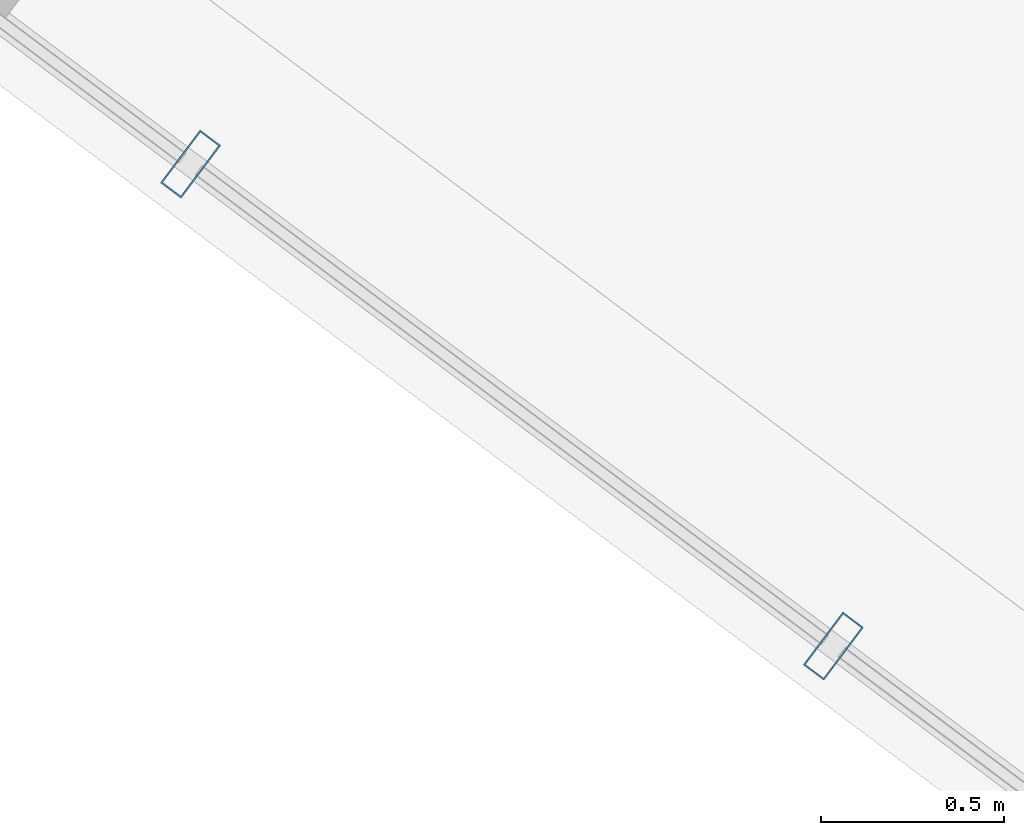
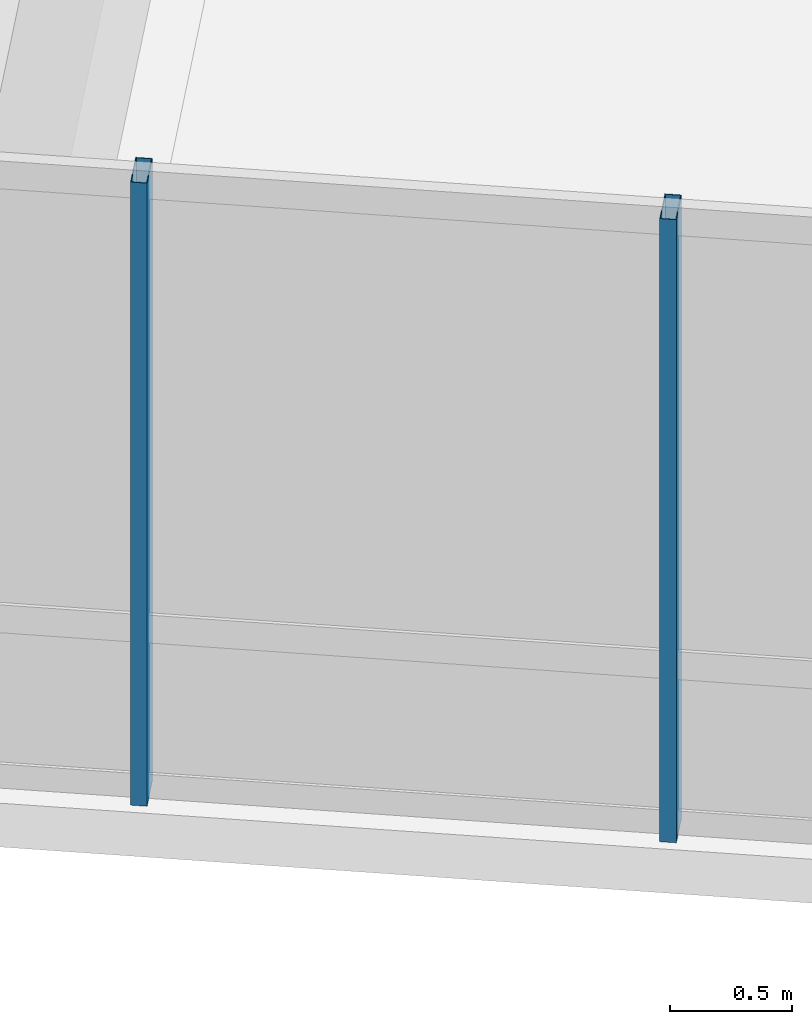
# One storey, part 4 of 36: 2 members, 1 element without a shape of its own.
"""IFC4 building model written with IfcOpenShell, lengths in metres."""

from ifc_helpers import new_model, si_unit, direction, frame, origin, origin_2d, place, context, subcontext, project, spatial, hollow_rectangle, extrude, material, layer, layer_set, material_profile, profile_set, type_object, element, aggregate, save


model = new_model("IFC4")

# Units and contexts
model_context = context("Model", 3, precision=1e-05, world=origin(), true_north=direction((0.0, 1.0)))
body_context = subcontext(model_context, "Body", "Model", "MODEL_VIEW")
ifc_project = project(units=[si_unit("LENGTHUNIT", "METRE"), si_unit("AREAUNIT", "SQUARE_METRE"), si_unit("VOLUMEUNIT", "CUBIC_METRE"), si_unit("PLANEANGLEUNIT", "RADIAN"), si_unit("MASSUNIT", "GRAM", prefix="KILO")], contexts=[model_context])

# Site, building, storey
site_placement = place(None, origin())
site = spatial("IfcSite", under=ifc_project, at=site_placement, CompositionType="ELEMENT")
building_placement = place(site_placement, origin())
building = spatial("IfcBuilding", under=site, at=building_placement, Name="Hatsunagi Terrace Concourse", CompositionType="ELEMENT")
storey_placement = place(building_placement, frame((0.0, 0.0, 84.64990234375)))
storey = spatial("IfcBuildingStorey", under=building, at=storey_placement, Name="L22", CompositionType="ELEMENT", Elevation=84.64990234375)

# Curtain wall, members
ifc_material_1 = material(Name="Anodised Aluminium Alloy 6063-T5", Category="aluminium")
ifc_layer = layer(ifc_material_1, 0.199951171875)
ifc_layer_set = layer_set([ifc_layer], Name="HotelFacade_CW02")
curtain_wall_type = type_object("IfcCurtainWallType", Name="HotelFacade_CW02", PredefinedType="NOTDEFINED", material=ifc_layer_set)
curtain_wall_placement = place(storey_placement, origin())
curtain_wall = element("IfcCurtainWall", 1, at=curtain_wall_placement, inside=storey, type_object=curtain_wall_type, Name="Unitised Curtain Wall CW-02 CW-L22-05", PredefinedType="NOTDEFINED")
ifc_material_2 = material(Name="Anodised Aluminium Alloy 6063-T5", Category="aluminium")
ifc_material_profile = material_profile(ifc_material_2, hollow_rectangle(XDim=0.070068359375, YDim=0.179931640625, WallThickness=0.00390625, at=origin_2d()), Name="ALU-MUL-180x70x4")
ifc_profile_set = profile_set([ifc_material_profile], Name="Anodised Aluminium Alloy 6063-T5")
member_type = type_object("IfcMemberType", Name="CurtainWallMullion_180x70", PredefinedType="MULLION", material=ifc_profile_set)
member_1_placement = place(storey_placement, frame((35.77392578125, 15.64501953125, 0.0), z_axis=(0.0, 0.0, 1.0), x_axis=(-0.800003116929, 0.599995844072, 0.0)))
member_1 = element("IfcMember", 2, at=member_1_placement, type_object=member_type, Name="Curtain Wall Mullion MUL-02", PredefinedType="MULLION", context=body_context, shape_type="SweptSolid", body=[
    extrude(hollow_rectangle(XDim=0.070068359375, YDim=0.179931640625, WallThickness=0.00390625, at=origin_2d()), origin(), (0.0, 0.0, 1.0), 3.130126953125),
])
member_2_placement = place(storey_placement, frame((34.01904296875, 16.9609375, 0.0), z_axis=(0.0, 0.0, 1.0), x_axis=(-0.800003116929, 0.599995844072, 0.0)))
member_2 = element("IfcMember", 3, at=member_2_placement, type_object=member_type, Name="Curtain Wall Mullion MUL-02", PredefinedType="MULLION", context=body_context, shape_type="SweptSolid", body=[
    extrude(hollow_rectangle(XDim=0.070068359375, YDim=0.179931640625, WallThickness=0.00390625, at=origin_2d()), origin(), (0.0, 0.0, 1.0), 3.130126953125),
])
aggregate(curtain_wall, [member_1, member_2])

save(model, "model.ifc")
